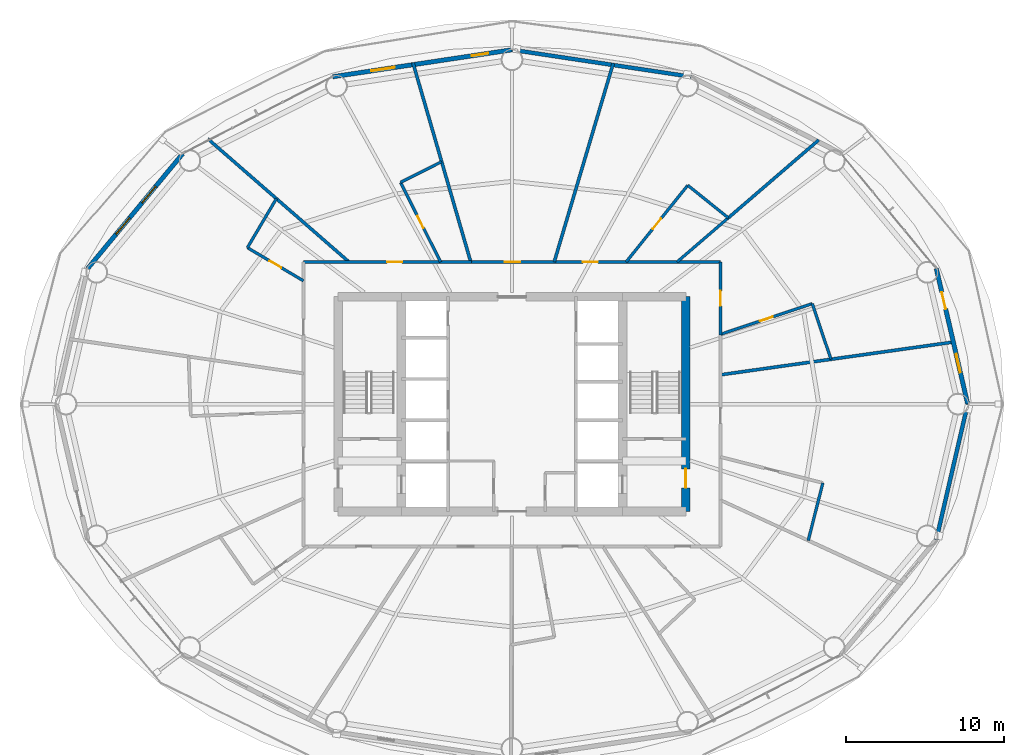
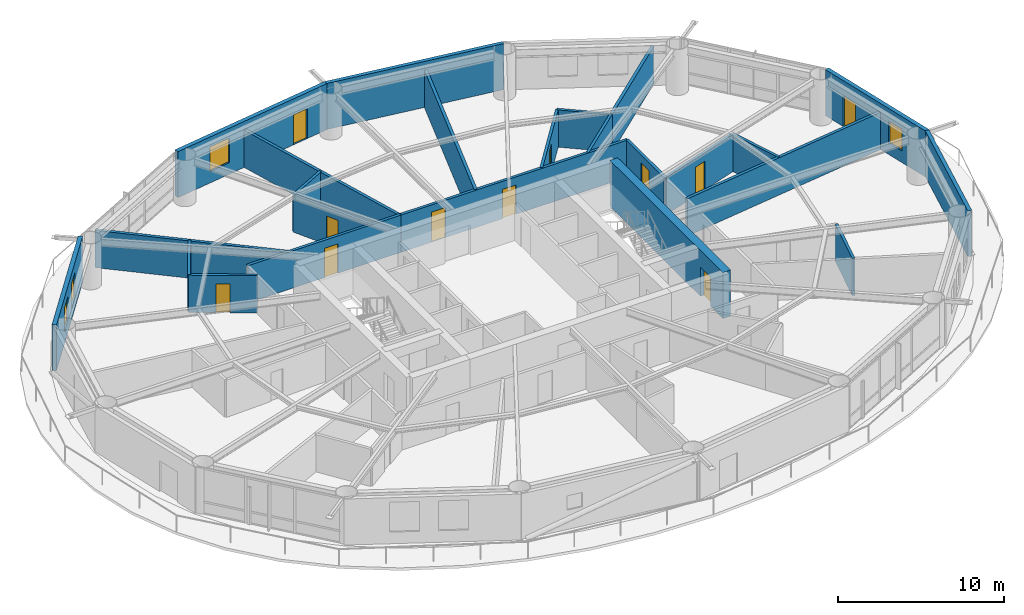
# One storey, part 20 of 24: 24 walls, 11 doors, 4 windows, 15 openings.
"""IFC4 building model written with IfcOpenShell, lengths in metres."""

from ifc_helpers import new_model, si_unit, direction, frame, frame_2d, origin, place, context, subcontext, project, spatial, rectangle, extrude, material, layer, layer_set, type_object, element, fill, save


model = new_model("IFC4")

# Units and contexts
model_context = context("Model", 3, precision=1e-05, world=origin(), true_north=direction((0.0, 1.0)))
body_context = subcontext(model_context, "Body", "Model", "MODEL_VIEW")
ifc_project = project(units=[si_unit("LENGTHUNIT", "METRE"), si_unit("AREAUNIT", "SQUARE_METRE"), si_unit("VOLUMEUNIT", "CUBIC_METRE"), si_unit("PLANEANGLEUNIT", "RADIAN"), si_unit("MASSUNIT", "GRAM", prefix="KILO")], contexts=[model_context])

# Site, building, storey
site_placement = place(None, origin())
site = spatial("IfcSite", under=ifc_project, at=site_placement, CompositionType="ELEMENT")
building_placement = place(site_placement, origin())
building = spatial("IfcBuilding", under=site, at=building_placement, Name="Sarneth Arch Tower", CompositionType="ELEMENT")
storey_placement = place(building_placement, frame((0.0, 0.0, 120.0)))
storey = spatial("IfcBuildingStorey", under=building, at=storey_placement, Name="L30", CompositionType="ELEMENT", Elevation=120.0)

# Wall, opening, door
ifc_material_1 = material(Name="Concrete C60/75", Category="concrete")
ifc_layer_1 = layer(ifc_material_1, 0.550048828125)
ifc_layer_set_1 = layer_set([ifc_layer_1], Name="Concrete C60/75")
wall_type_1 = type_object("IfcWallType", Name="WALL-CORE-550", PredefinedType="SHEAR", material=ifc_layer_set_1)
wall_1_placement = place(storey_placement, frame((59.0, 35.199951171875, 0.0), z_axis=(0.0, 0.0, 1.0), x_axis=(0.0, 1.0, 0.0)))
wall_1 = element("IfcWall", 1, at=wall_1_placement, inside=storey, type_object=wall_type_1, Name="L30 Core shear wall E", PredefinedType="SHEAR", context=body_context, shape_type="SweptSolid", body=[
    extrude(rectangle(XDim=13.60009765625, YDim=0.550048828125, at=frame_2d((6.800048828125, 0.0))), origin(), (0.0, 0.0, 1.0), 3.3798828125),
])
opening_1_placement = place(wall_1_placement, frame((1.5, 0.0, 0.0)))
opening_1 = element("IfcOpeningElement", 2, at=opening_1_placement, cuts=wall_1, Name="Opening FD-02", PredefinedType="OPENING", context=body_context, shape_type="SweptSolid", body=[
    extrude(rectangle(XDim=1.199951171875, YDim=2.14990234375, at=frame_2d((0.60009765625, 1.074951171875))), frame((0.0, 0.284912109375, 0.0), z_axis=(0.0, -1.0, 0.0), x_axis=(1.0, 0.0, 0.0)), (0.0, 0.0, 1.0), 0.570068359375),
])
ifc_material_2 = material(Name="Galvanised Steel S275 fire door set", Category="steel")
door_type_1 = type_object("IfcDoorType", Name="DR-FD90-1200", OperationType="SINGLE_SWING_LEFT", PredefinedType="DOOR", material=ifc_material_2)
door_1_placement = place(opening_1_placement, origin())
door_1 = element("IfcDoor", 3, at=door_1_placement, inside=storey, type_object=door_type_1, Name="L30 Firefighting lobby 2 exit door", OperationType="SINGLE_SWING_RIGHT", OverallHeight=2.14990234375, OverallWidth=1.199951171875, PredefinedType="DOOR", context=body_context, shape_type="SweptSolid", body=[
    extrude(rectangle(XDim=1.199951171875, YDim=2.14990234375, at=frame_2d((0.60009765625, 1.074951171875))), frame((0.0, 0.02490234375, 0.0), z_axis=(0.0, -1.0, 0.0), x_axis=(1.0, 0.0, 0.0)), (0.0, 0.0, 1.0), 0.050048828125),
])
fill(opening_1, door_1)

ifc_material_3 = material(Name="Double steel-stud corridor fire wall", Category="steel")
ifc_layer_2 = layer(ifc_material_3, 0.18994140625)
ifc_layer_set_2 = layer_set([ifc_layer_2], Name="Double steel-stud corridor fire wall")
wall_type_2 = type_object("IfcWallType", Name="WALL-CORR-190", PredefinedType="PARTITIONING", material=ifc_layer_set_2)
wall_2_placement = place(storey_placement, frame((34.800048828125, 51.0, 0.0), z_axis=(0.0, 0.0, 1.0), x_axis=(1.0, 0.0, 0.0)))
wall_2 = element("IfcWall", 4, at=wall_2_placement, inside=storey, type_object=wall_type_2, Name="L30 Interior partition W-L30-TP-007", PredefinedType="PARTITIONING", context=body_context, shape_type="SweptSolid", body=[
    extrude(rectangle(XDim=10.62158203125, YDim=0.18994140625, at=frame_2d((5.310791015625, 0.0))), origin(), (0.0, 0.0, 1.0), 2.739990234375),
])
opening_2_placement = place(wall_2_placement, frame((5.296875, 0.0, 0.0)))
opening_2 = element("IfcOpeningElement", 5, at=opening_2_placement, cuts=wall_2, Name="Opening FD-09", PredefinedType="OPENING", context=body_context, shape_type="SweptSolid", body=[
    extrude(rectangle(XDim=0.949951171875, YDim=2.14990234375, at=frame_2d((0.47509765625, 1.074951171875))), frame((0.0, 0.10498046875, 0.0), z_axis=(0.0, -1.0, 0.0), x_axis=(1.0, 0.0, 0.0)), (0.0, 0.0, 1.0), 0.2099609375),
])
ifc_material_4 = material(Name="Hardwood timber hotel entrance fire door", Category="wood")
door_type_2 = type_object("IfcDoorType", Name="DR-FD60-950", OperationType="SINGLE_SWING_RIGHT", PredefinedType="DOOR", material=ifc_material_4)
door_2_placement = place(opening_2_placement, origin())
door_2 = element("IfcDoor", 6, at=door_2_placement, inside=storey, type_object=door_type_2, Name="L30 Interior door DR-L30-KEY-04", OperationType="SINGLE_SWING_LEFT", OverallHeight=2.14990234375, OverallWidth=0.949951171875, PredefinedType="DOOR", context=body_context, shape_type="SweptSolid", body=[
    extrude(rectangle(XDim=0.949951171875, YDim=2.14990234375, at=frame_2d((0.47509765625, 1.074951171875))), frame((0.0, 0.02490234375, 0.0), z_axis=(0.0, -1.0, 0.0), x_axis=(1.0, 0.0, 0.0)), (0.0, 0.0, 1.0), 0.050048828125),
])
fill(opening_2, door_2)

# Wall, openings, doors
wall_3_placement = place(storey_placement, frame((45.35498046875, 51.0, 0.0), z_axis=(0.0, 0.0, 1.0), x_axis=(1.0, 0.0, 0.0)))
wall_3 = element("IfcWall", 7, at=wall_3_placement, inside=storey, type_object=wall_type_2, Name="L30 Interior partition W-L30-TP-006", PredefinedType="PARTITIONING", context=body_context, shape_type="SweptSolid", body=[
    extrude(rectangle(XDim=15.844970703125, YDim=0.18994140625, at=frame_2d((7.92236328125, 0.0))), origin(), (0.0, 0.0, 1.0), 2.739990234375),
])
opening_3_placement = place(wall_3_placement, frame((2.176025390625, 0.0, 0.0)))
opening_3 = element("IfcOpeningElement", 8, at=opening_3_placement, cuts=wall_3, Name="Opening FD-08", PredefinedType="OPENING", context=body_context, shape_type="SweptSolid", body=[
    extrude(rectangle(XDim=1.0, YDim=2.199951171875, at=frame_2d((0.5, 1.10009765625))), frame((0.0, 0.10498046875, 0.0), z_axis=(0.0, -1.0, 0.0), x_axis=(1.0, 0.0, 0.0)), (0.0, 0.0, 1.0), 0.2099609375),
])
opening_4_placement = place(wall_3_placement, frame((7.125, 0.0, 0.0)))
opening_4 = element("IfcOpeningElement", 9, at=opening_4_placement, cuts=wall_3, Name="Opening FD-09", PredefinedType="OPENING", context=body_context, shape_type="SweptSolid", body=[
    extrude(rectangle(XDim=0.949951171875, YDim=2.14990234375, at=frame_2d((0.47509765625, 1.074951171875))), frame((0.0, 0.10498046875, 0.0), z_axis=(0.0, -1.0, 0.0), x_axis=(1.0, 0.0, 0.0)), (0.0, 0.0, 1.0), 0.2099609375),
])
ifc_material_5 = material(Name="Hardwood timber acoustic fire door", Category="wood")
door_type_3 = type_object("IfcDoorType", Name="DR-FD60-1000", OperationType="SINGLE_SWING_LEFT", PredefinedType="DOOR", material=ifc_material_5)
door_3_placement = place(opening_3_placement, origin())
door_3 = element("IfcDoor", 10, at=door_3_placement, inside=storey, type_object=door_type_3, Name="L30 Interior door DR-L30-AMN-03", OperationType="SINGLE_SWING_RIGHT", OverallHeight=2.199951171875, OverallWidth=1.0, PredefinedType="DOOR", context=body_context, shape_type="SweptSolid", body=[
    extrude(rectangle(XDim=1.0, YDim=2.199951171875, at=frame_2d((0.5, 1.10009765625))), frame((0.0, 0.02490234375, 0.0), z_axis=(0.0, -1.0, 0.0), x_axis=(1.0, 0.0, 0.0)), (0.0, 0.0, 1.0), 0.050048828125),
])
fill(opening_3, door_3)
door_4_placement = place(opening_4_placement, origin())
door_4 = element("IfcDoor", 11, at=door_4_placement, inside=storey, type_object=door_type_2, Name="L30 Interior door DR-L30-KEY-02", OperationType="SINGLE_SWING_RIGHT", OverallHeight=2.14990234375, OverallWidth=0.949951171875, PredefinedType="DOOR", context=body_context, shape_type="SweptSolid", body=[
    extrude(rectangle(XDim=0.949951171875, YDim=2.14990234375, at=frame_2d((0.47509765625, 1.074951171875))), frame((0.0, 0.02490234375, 0.0), z_axis=(0.0, -1.0, 0.0), x_axis=(1.0, 0.0, 0.0)), (0.0, 0.0, 1.0), 0.050048828125),
])
fill(opening_4, door_4)

# Wall, opening, door
wall_4_placement = place(storey_placement, frame((61.199951171875, 51.0, 0.0), z_axis=(0.0, 0.0, 1.0), x_axis=(0.0, -1.0, 0.0)))
wall_4 = element("IfcWall", 12, at=wall_4_placement, inside=storey, type_object=wall_type_2, Name="L30 Interior partition W-L30-TP-002", PredefinedType="PARTITIONING", context=body_context, shape_type="SweptSolid", body=[
    extrude(rectangle(XDim=4.616943359375, YDim=0.18994140625, at=frame_2d((2.30859375, 0.0))), origin(), (0.0, 0.0, 1.0), 2.739990234375),
])
opening_5_placement = place(wall_4_placement, frame((1.83349609375, 0.0, 0.0)))
opening_5 = element("IfcOpeningElement", 13, at=opening_5_placement, cuts=wall_4, Name="Opening FD-09", PredefinedType="OPENING", context=body_context, shape_type="SweptSolid", body=[
    extrude(rectangle(XDim=0.949951171875, YDim=2.14990234375, at=frame_2d((0.47509765625, 1.074951171875))), frame((0.0, 0.10498046875, 0.0), z_axis=(0.0, -1.0, 0.0), x_axis=(1.0, 0.0, 0.0)), (0.0, 0.0, 1.0), 0.2099609375),
])
door_5_placement = place(opening_5_placement, origin())
door_5 = element("IfcDoor", 14, at=door_5_placement, inside=storey, type_object=door_type_2, Name="L30 Interior door DR-L30-KEY-01", OperationType="SINGLE_SWING_LEFT", OverallHeight=2.14990234375, OverallWidth=0.949951171875, PredefinedType="DOOR", context=body_context, shape_type="SweptSolid", body=[
    extrude(rectangle(XDim=0.949951171875, YDim=2.14990234375, at=frame_2d((0.47509765625, 1.074951171875))), frame((0.0, 0.02490234375, 0.0), z_axis=(0.0, -1.0, 0.0), x_axis=(1.0, 0.0, 0.0)), (0.0, 0.0, 1.0), 0.050048828125),
])
fill(opening_5, door_5)

# Walls
ifc_material_6 = material(Name="Extruded terracotta rainscreen on Concrete C40/50 backing", Category="masonry")
ifc_layer_3 = layer(ifc_material_6, 0.25)
ifc_layer_set_3 = layer_set([ifc_layer_3], Name="Extruded terracotta rainscreen on Concrete C40/50 backing")
wall_type_3 = type_object("IfcWallType", Name="WALL-EXT-SPAND-250", PredefinedType="SOLIDWALL", material=ifc_layer_set_3)
wall_5_placement = place(storey_placement, frame((59.351318359375, 62.72265625, 0.0), z_axis=(0.0, 0.0, 1.0), x_axis=(-0.988877774656, 0.148730450117, 0.0)))
element("IfcWall", 15, at=wall_5_placement, inside=storey, type_object=wall_type_3, Name="L30 Terracotta perimeter wall 04", PredefinedType="SOLIDWALL", context=body_context, shape_type="SweptSolid", body=[
    extrude(rectangle(XDim=11.47900390625, YDim=0.25, at=frame_2d((5.739501953125, 0.0))), origin(), (0.0, 0.0, 1.0), 3.3798828125),
])
wall_6_placement = place(storey_placement, frame((74.861328125, 33.41650390625, 0.0), z_axis=(0.0, 0.0, 1.0), x_axis=(0.22558597182, 0.974223264616, 0.0)))
element("IfcWall", 16, at=wall_6_placement, inside=storey, type_object=wall_type_3, Name="L30 Terracotta perimeter wall 16", PredefinedType="SOLIDWALL", context=body_context, shape_type="SweptSolid", body=[
    extrude(rectangle(XDim=8.810546875, YDim=0.25, at=frame_2d((4.4052734375, 0.0))), origin(), (0.0, 0.0, 1.0), 3.3798828125),
])

# Wall, openings, door, window
ifc_material_7 = material(Name="Extruded terracotta rainscreen on Concrete C40/50 backing", Category="masonry")
ifc_layer_4 = layer(ifc_material_7, 0.280029296875)
ifc_layer_set_4 = layer_set([ifc_layer_4], Name="Extruded terracotta rainscreen on Concrete C40/50 backing")
wall_type_4 = type_object("IfcWallType", Name="WALL-EXT-TERRA-280", PredefinedType="SOLIDWALL", material=ifc_layer_set_4)
wall_7_placement = place(storey_placement, frame((76.848876953125, 42.0, 0.0), z_axis=(0.0, 0.0, 1.0), x_axis=(-0.22558597182, 0.974223264616, 0.0)))
wall_7 = element("IfcWall", 17, at=wall_7_placement, inside=storey, type_object=wall_type_4, Name="L30 Terracotta perimeter wall 01", PredefinedType="SOLIDWALL", context=body_context, shape_type="SweptSolid", body=[
    extrude(rectangle(XDim=8.810546875, YDim=0.280029296875, at=frame_2d((4.4052734375, 0.0))), origin(), (0.0, 0.0, 1.0), 3.3798828125),
])
opening_6_placement = place(wall_7_placement, frame((2.05419921875, 0.0, 0.85009765625)))
opening_6 = element("IfcOpeningElement", 18, at=opening_6_placement, cuts=wall_7, Name="Opening W-10", PredefinedType="OPENING", context=body_context, shape_type="SweptSolid", body=[
    extrude(rectangle(XDim=1.199951171875, YDim=1.60009765625, at=frame_2d((0.60009765625, 0.800048828125))), frame((0.0, 0.14990234375, 0.0), z_axis=(0.0, -1.0, 0.0), x_axis=(1.0, 0.0, 0.0)), (0.0, 0.0, 1.0), 0.300048828125),
])
opening_7_placement = place(wall_7_placement, frame((6.174560546875, 0.0, 0.0)))
opening_7 = element("IfcOpeningElement", 19, at=opening_7_placement, cuts=wall_7, Name="Opening BD-3", PredefinedType="OPENING", context=body_context, shape_type="SweptSolid", body=[
    extrude(rectangle(XDim=1.10009765625, YDim=2.25, at=frame_2d((0.550048828125, 1.125))), frame((0.0, 0.14990234375, 0.0), z_axis=(0.0, -1.0, 0.0), x_axis=(1.0, 0.0, 0.0)), (0.0, 0.0, 1.0), 0.300048828125),
])
ifc_material_8 = material(Name="Thermally broken Aluminium 6063-T6 and laminated safety glass", Category="aluminium")
door_type_4 = type_object("IfcDoorType", Name="DR-BALC-GLZ-1100", OperationType="SINGLE_SWING_LEFT", PredefinedType="DOOR", material=ifc_material_8)
door_6_placement = place(opening_7_placement, origin())
door_6 = element("IfcDoor", 20, at=door_6_placement, inside=storey, type_object=door_type_4, Name="L30 Balcony glazed door 01", OperationType="SINGLE_SWING_LEFT", OverallHeight=2.25, OverallWidth=1.10009765625, PredefinedType="DOOR", context=body_context, shape_type="SweptSolid", body=[
    extrude(rectangle(XDim=1.10009765625, YDim=2.25, at=frame_2d((0.550048828125, 1.125))), frame((0.0, 0.02490234375, 0.0), z_axis=(0.0, -1.0, 0.0), x_axis=(1.0, 0.0, 0.0)), (0.0, 0.0, 1.0), 0.050048828125),
])
fill(opening_7, door_6)
ifc_material_9 = material(Name="Thermally broken Aluminium 6063-T6 and low-e laminated IGU", Category="aluminium")
window_type_1 = type_object("IfcWindowType", Name="WIN-TWR-1200x1600", PartitioningType="SINGLE_PANEL", PredefinedType="WINDOW", material=ifc_material_9)
window_1_placement = place(opening_6_placement, origin())
window_1 = element("IfcWindow", 21, at=window_1_placement, inside=storey, type_object=window_type_1, Name="L30 Exterior window 01A", OverallHeight=1.60009765625, OverallWidth=1.199951171875, PartitioningType="SINGLE_PANEL", PredefinedType="WINDOW", context=body_context, shape_type="SweptSolid", body=[
    extrude(rectangle(XDim=1.199951171875, YDim=1.60009765625, at=frame_2d((0.60009765625, 0.800048828125))), frame((0.0, 0.030029296875, 0.0), z_axis=(0.0, -1.0, 0.0), x_axis=(1.0, 0.0, 0.0)), (0.0, 0.0, 1.0), 0.06005859375),
])
fill(opening_6, window_1)

wall_8_placement = place(storey_placement, frame((48.0, 64.429931640625, 0.0), z_axis=(0.0, 0.0, 1.0), x_axis=(-0.988877774656, -0.148730450117, 0.0)))
wall_8 = element("IfcWall", 22, at=wall_8_placement, inside=storey, type_object=wall_type_4, Name="L30 Terracotta perimeter wall 05", PredefinedType="SOLIDWALL", context=body_context, shape_type="SweptSolid", body=[
    extrude(rectangle(XDim=11.47900390625, YDim=0.280029296875, at=frame_2d((5.739501953125, 0.0))), origin(), (0.0, 0.0, 1.0), 3.3798828125),
])
opening_8_placement = place(wall_8_placement, frame((1.523681640625, 0.0, 0.0)))
opening_8 = element("IfcOpeningElement", 23, at=opening_8_placement, cuts=wall_8, Name="Opening BD-4", PredefinedType="OPENING", context=body_context, shape_type="SweptSolid", body=[
    extrude(rectangle(XDim=1.050048828125, YDim=2.199951171875, at=frame_2d((0.52490234375, 1.10009765625))), frame((0.0, 0.14990234375, 0.0), z_axis=(0.0, -1.0, 0.0), x_axis=(1.0, 0.0, 0.0)), (0.0, 0.0, 1.0), 0.300048828125),
])
opening_9_placement = place(wall_8_placement, frame((7.5, 0.0, 0.85009765625)))
opening_9 = element("IfcOpeningElement", 24, at=opening_9_placement, cuts=wall_8, Name="Opening W-07", PredefinedType="OPENING", context=body_context, shape_type="SweptSolid", body=[
    extrude(rectangle(XDim=1.5, YDim=1.800048828125, at=frame_2d((0.75, 0.89990234375))), frame((0.0, 0.14990234375, 0.0), z_axis=(0.0, -1.0, 0.0), x_axis=(1.0, 0.0, 0.0)), (0.0, 0.0, 1.0), 0.300048828125),
])
ifc_material_10 = material(Name="Thermally broken Aluminium 6063-T6 and laminated safety glass", Category="aluminium")
door_type_5 = type_object("IfcDoorType", Name="DR-BALC-GLZ-1050", OperationType="SINGLE_SWING_RIGHT", PredefinedType="DOOR", material=ifc_material_10)
door_7_placement = place(opening_8_placement, origin())
door_7 = element("IfcDoor", 25, at=door_7_placement, inside=storey, type_object=door_type_5, Name="L30 Balcony glazed door 05", OperationType="SINGLE_SWING_RIGHT", OverallHeight=2.199951171875, OverallWidth=1.050048828125, PredefinedType="DOOR", context=body_context, shape_type="SweptSolid", body=[
    extrude(rectangle(XDim=1.050048828125, YDim=2.199951171875, at=frame_2d((0.52490234375, 1.10009765625))), frame((0.0, 0.02490234375, 0.0), z_axis=(0.0, -1.0, 0.0), x_axis=(1.0, 0.0, 0.0)), (0.0, 0.0, 1.0), 0.050048828125),
])
fill(opening_8, door_7)
ifc_material_11 = material(Name="Thermally broken Aluminium 6063-T6 and low-e laminated IGU", Category="aluminium")
window_type_2 = type_object("IfcWindowType", Name="WIN-TWR-1500x1800", PartitioningType="SINGLE_PANEL", PredefinedType="WINDOW", material=ifc_material_11)
window_2_placement = place(opening_9_placement, origin())
window_2 = element("IfcWindow", 26, at=window_2_placement, inside=storey, type_object=window_type_2, Name="L30 Exterior window 05A", OverallHeight=1.800048828125, OverallWidth=1.5, PartitioningType="SINGLE_PANEL", PredefinedType="WINDOW", context=body_context, shape_type="SweptSolid", body=[
    extrude(rectangle(XDim=1.5, YDim=1.800048828125, at=frame_2d((0.75, 0.89990234375))), frame((0.0, 0.030029296875, 0.0), z_axis=(0.0, -1.0, 0.0), x_axis=(1.0, 0.0, 0.0)), (0.0, 0.0, 1.0), 0.06005859375),
])
fill(opening_9, window_2)

# Wall, openings, windows
wall_9_placement = place(storey_placement, frame((27.159912109375, 57.8603515625, 0.0), z_axis=(0.0, 0.0, 1.0), x_axis=(-0.637505817448, -0.770445541696, 0.0)))
wall_9 = element("IfcWall", 27, at=wall_9_placement, inside=storey, type_object=wall_type_4, Name="L30 Terracotta perimeter wall 07", PredefinedType="SOLIDWALL", context=body_context, shape_type="SweptSolid", body=[
    extrude(rectangle(XDim=9.445068359375, YDim=0.280029296875, at=frame_2d((4.72265625, 0.0))), origin(), (0.0, 0.0, 1.0), 3.3798828125),
])
opening_10_placement = place(wall_9_placement, frame((2.696533203125, 0.0, 0.85009765625)))
opening_10 = element("IfcOpeningElement", 28, at=opening_10_placement, cuts=wall_9, Name="Opening W-08", PredefinedType="OPENING", context=body_context, shape_type="SweptSolid", body=[
    extrude(rectangle(XDim=1.35009765625, YDim=1.800048828125, at=frame_2d((0.675048828125, 0.89990234375))), frame((0.0, 0.14990234375, 0.0), z_axis=(0.0, -1.0, 0.0), x_axis=(1.0, 0.0, 0.0)), (0.0, 0.0, 1.0), 0.300048828125),
])
opening_11_placement = place(wall_9_placement, frame((5.281982421875, 0.0, 0.85009765625)))
opening_11 = element("IfcOpeningElement", 29, at=opening_11_placement, cuts=wall_9, Name="Opening W-08", PredefinedType="OPENING", context=body_context, shape_type="SweptSolid", body=[
    extrude(rectangle(XDim=1.35009765625, YDim=1.800048828125, at=frame_2d((0.675048828125, 0.89990234375))), frame((0.0, 0.14990234375, 0.0), z_axis=(0.0, -1.0, 0.0), x_axis=(1.0, 0.0, 0.0)), (0.0, 0.0, 1.0), 0.300048828125),
])
ifc_material_12 = material(Name="Thermally broken Aluminium 6063-T6 and low-e laminated IGU", Category="aluminium")
window_type_3 = type_object("IfcWindowType", Name="WIN-TWR-1350x1800", PartitioningType="SINGLE_PANEL", PredefinedType="WINDOW", material=ifc_material_12)
window_3_placement = place(opening_10_placement, origin())
window_3 = element("IfcWindow", 30, at=window_3_placement, inside=storey, type_object=window_type_3, Name="L30 Exterior window 07A", OverallHeight=1.800048828125, OverallWidth=1.35009765625, PartitioningType="SINGLE_PANEL", PredefinedType="WINDOW", context=body_context, shape_type="SweptSolid", body=[
    extrude(rectangle(XDim=1.35009765625, YDim=1.800048828125, at=frame_2d((0.675048828125, 0.89990234375))), frame((0.0, 0.030029296875, 0.0), z_axis=(0.0, -1.0, 0.0), x_axis=(1.0, 0.0, 0.0)), (0.0, 0.0, 1.0), 0.06005859375),
])
fill(opening_10, window_3)
window_4_placement = place(opening_11_placement, origin())
window_4 = element("IfcWindow", 31, at=window_4_placement, inside=storey, type_object=window_type_3, Name="L30 Exterior window 07B", OverallHeight=1.800048828125, OverallWidth=1.35009765625, PartitioningType="SINGLE_PANEL", PredefinedType="WINDOW", context=body_context, shape_type="SweptSolid", body=[
    extrude(rectangle(XDim=1.35009765625, YDim=1.800048828125, at=frame_2d((0.675048828125, 0.89990234375))), frame((0.0, 0.030029296875, 0.0), z_axis=(0.0, -1.0, 0.0), x_axis=(1.0, 0.0, 0.0)), (0.0, 0.0, 1.0), 0.06005859375),
])
fill(opening_11, window_4)

# Wall, opening, door
ifc_material_13 = material(Name="Moisture-resistant plumbing chase wall", Category="gypsum")
ifc_layer_5 = layer(ifc_material_13, 0.179931640625)
ifc_layer_set_5 = layer_set([ifc_layer_5], Name="Moisture-resistant plumbing chase wall")
wall_type_5 = type_object("IfcWallType", Name="WALL-PLUMB-180", PredefinedType="PLUMBINGWALL", material=ifc_layer_set_5)
wall_10_placement = place(storey_placement, frame((55.22900390625, 51.0, 0.0), z_axis=(0.0, 0.0, 1.0), x_axis=(0.626239129839, 0.779631035977, 0.0)))
wall_10 = element("IfcWall", 32, at=wall_10_placement, inside=storey, type_object=wall_type_5, Name="L30 Interior partition W-L30-TP-031", PredefinedType="PLUMBINGWALL", context=body_context, shape_type="SweptSolid", body=[
    extrude(rectangle(XDim=6.22314453125, YDim=0.179931640625, at=frame_2d((3.111572265625, 0.0))), origin(), (0.0, 0.0, 1.0), 2.739990234375),
])
opening_12_placement = place(wall_10_placement, frame((2.6865234375, 0.0, 0.0)))
opening_12 = element("IfcOpeningElement", 33, at=opening_12_placement, cuts=wall_10, Name="Opening ID-02", PredefinedType="OPENING", context=body_context, shape_type="SweptSolid", body=[
    extrude(rectangle(XDim=0.85009765625, YDim=2.10009765625, at=frame_2d((0.425048828125, 1.050048828125))), frame((0.0, 0.099853515625, 0.0), z_axis=(0.0, -1.0, 0.0), x_axis=(1.0, 0.0, 0.0)), (0.0, 0.0, 1.0), 0.199951171875),
])
ifc_material_14 = material(Name="Moisture-resistant bathroom timber door", Category="wood")
door_type_6 = type_object("IfcDoorType", Name="DR-INT-850", OperationType="SINGLE_SWING_RIGHT", PredefinedType="DOOR", material=ifc_material_14)
door_8_placement = place(opening_12_placement, origin())
door_8 = element("IfcDoor", 34, at=door_8_placement, inside=storey, type_object=door_type_6, Name="L30 Interior door DR-L30-ENS-02", OperationType="SINGLE_SWING_LEFT", OverallHeight=2.10009765625, OverallWidth=0.85009765625, PredefinedType="DOOR", context=body_context, shape_type="SweptSolid", body=[
    extrude(rectangle(XDim=0.85009765625, YDim=2.10009765625, at=frame_2d((0.425048828125, 1.050048828125))), frame((0.0, 0.02490234375, 0.0), z_axis=(0.0, -1.0, 0.0), x_axis=(1.0, 0.0, 0.0)), (0.0, 0.0, 1.0), 0.050048828125),
])
fill(opening_12, door_8)

wall_11_placement = place(storey_placement, frame((67.01220703125, 48.361328125, 0.0), z_axis=(0.0, 0.0, 1.0), x_axis=(-0.948332174456, -0.317279193915, 0.0)))
wall_11 = element("IfcWall", 35, at=wall_11_placement, inside=storey, type_object=wall_type_5, Name="L30 Interior partition W-L30-TP-026", PredefinedType="PLUMBINGWALL", context=body_context, shape_type="SweptSolid", body=[
    extrude(rectangle(XDim=6.12890625, YDim=0.179931640625, at=frame_2d((3.064453125, 0.0))), origin(), (0.0, 0.0, 1.0), 2.739990234375),
])
opening_13_placement = place(wall_11_placement, frame((2.639404296875, 0.0, 0.0)))
opening_13 = element("IfcOpeningElement", 36, at=opening_13_placement, cuts=wall_11, Name="Opening ID-02", PredefinedType="OPENING", context=body_context, shape_type="SweptSolid", body=[
    extrude(rectangle(XDim=0.85009765625, YDim=2.10009765625, at=frame_2d((0.425048828125, 1.050048828125))), frame((0.0, 0.099853515625, 0.0), z_axis=(0.0, -1.0, 0.0), x_axis=(1.0, 0.0, 0.0)), (0.0, 0.0, 1.0), 0.199951171875),
])
door_9_placement = place(opening_13_placement, origin())
door_9 = element("IfcDoor", 37, at=door_9_placement, inside=storey, type_object=door_type_6, Name="L30 Interior door DR-L30-ENS-01", OperationType="SINGLE_SWING_LEFT", OverallHeight=2.10009765625, OverallWidth=0.85009765625, PredefinedType="DOOR", context=body_context, shape_type="SweptSolid", body=[
    extrude(rectangle(XDim=0.85009765625, YDim=2.10009765625, at=frame_2d((0.425048828125, 1.050048828125))), frame((0.0, 0.02490234375, 0.0), z_axis=(0.0, -1.0, 0.0), x_axis=(1.0, 0.0, 0.0)), (0.0, 0.0, 1.0), 0.050048828125),
])
fill(opening_13, door_9)

wall_12_placement = place(storey_placement, frame((40.94482421875, 56.03857421875, 0.0), z_axis=(0.0, 0.0, 1.0), x_axis=(0.44904833135, -0.893507468414, 0.0)))
wall_12 = element("IfcWall", 38, at=wall_12_placement, inside=storey, type_object=wall_type_5, Name="L30 Interior partition W-L30-TP-037", PredefinedType="PLUMBINGWALL", context=body_context, shape_type="SweptSolid", body=[
    extrude(rectangle(XDim=5.63916015625, YDim=0.179931640625, at=frame_2d((2.819580078125, 0.0))), origin(), (0.0, 0.0, 1.0), 2.739990234375),
])
opening_14_placement = place(wall_12_placement, frame((2.39453125, 0.0, 0.0)))
opening_14 = element("IfcOpeningElement", 39, at=opening_14_placement, cuts=wall_12, Name="Opening ID-02", PredefinedType="OPENING", context=body_context, shape_type="SweptSolid", body=[
    extrude(rectangle(XDim=0.85009765625, YDim=2.10009765625, at=frame_2d((0.425048828125, 1.050048828125))), frame((0.0, 0.099853515625, 0.0), z_axis=(0.0, -1.0, 0.0), x_axis=(1.0, 0.0, 0.0)), (0.0, 0.0, 1.0), 0.199951171875),
])
door_10_placement = place(opening_14_placement, origin())
door_10 = element("IfcDoor", 40, at=door_10_placement, inside=storey, type_object=door_type_6, Name="L30 Interior door DR-L30-ENS-04", OperationType="SINGLE_SWING_RIGHT", OverallHeight=2.10009765625, OverallWidth=0.85009765625, PredefinedType="DOOR", context=body_context, shape_type="SweptSolid", body=[
    extrude(rectangle(XDim=0.85009765625, YDim=2.10009765625, at=frame_2d((0.425048828125, 1.050048828125))), frame((0.0, 0.02490234375, 0.0), z_axis=(0.0, -1.0, 0.0), x_axis=(1.0, 0.0, 0.0)), (0.0, 0.0, 1.0), 0.050048828125),
])
fill(opening_14, door_10)

# Wall
wall_13_placement = place(storey_placement, frame((61.693603515625, 53.78955078125, 0.0), z_axis=(0.0, 0.0, 1.0), x_axis=(-0.757844088621, -0.652435695945, 0.0)))
element("IfcWall", 41, at=wall_13_placement, inside=storey, type_object=wall_type_5, Name="L30 Interior partition W-L30-TP-028", PredefinedType="PLUMBINGWALL", context=body_context, shape_type="SweptSolid", body=[
    extrude(rectangle(XDim=4.275634765625, YDim=0.179931640625, at=frame_2d((2.1376953125, 0.0))), origin(), (0.0, 0.0, 1.0), 2.739990234375),
])

# Wall, opening, door
wall_14_placement = place(storey_placement, frame((31.25, 51.90234375, 0.0), z_axis=(0.0, 0.0, 1.0), x_axis=(0.860833406846, -0.508886869214, 0.0)))
wall_14 = element("IfcWall", 42, at=wall_14_placement, inside=storey, type_object=wall_type_5, Name="L30 Interior partition W-L30-TP-041", PredefinedType="PLUMBINGWALL", context=body_context, shape_type="SweptSolid", body=[
    extrude(rectangle(XDim=4.1240234375, YDim=0.179931640625, at=frame_2d((2.06201171875, 0.0))), origin(), (0.0, 0.0, 1.0), 2.739990234375),
])
opening_15_placement = place(wall_14_placement, frame((1.636962890625, 0.0, 0.0)))
opening_15 = element("IfcOpeningElement", 43, at=opening_15_placement, cuts=wall_14, Name="Opening ID-02", PredefinedType="OPENING", context=body_context, shape_type="SweptSolid", body=[
    extrude(rectangle(XDim=0.85009765625, YDim=2.10009765625, at=frame_2d((0.425048828125, 1.050048828125))), frame((0.0, 0.099853515625, 0.0), z_axis=(0.0, -1.0, 0.0), x_axis=(1.0, 0.0, 0.0)), (0.0, 0.0, 1.0), 0.199951171875),
])
door_11_placement = place(opening_15_placement, origin())
door_11 = element("IfcDoor", 44, at=door_11_placement, inside=storey, type_object=door_type_6, Name="L30 Interior door DR-L30-ENS-05", OperationType="SINGLE_SWING_RIGHT", OverallHeight=2.10009765625, OverallWidth=0.85009765625, PredefinedType="DOOR", context=body_context, shape_type="SweptSolid", body=[
    extrude(rectangle(XDim=0.85009765625, YDim=2.10009765625, at=frame_2d((0.425048828125, 1.050048828125))), frame((0.0, 0.02490234375, 0.0), z_axis=(0.0, -1.0, 0.0), x_axis=(1.0, 0.0, 0.0)), (0.0, 0.0, 1.0), 0.050048828125),
])
fill(opening_15, door_11)

# Walls
wall_15_placement = place(storey_placement, frame((67.678466796875, 37.010498046875, 0.0), z_axis=(0.0, 0.0, 1.0), x_axis=(-0.245725202551, -0.969339530212, 0.0)))
element("IfcWall", 45, at=wall_15_placement, inside=storey, type_object=wall_type_5, Name="L30 Interior partition W-L30-TP-062", PredefinedType="PLUMBINGWALL", context=body_context, shape_type="SweptSolid", body=[
    extrude(rectangle(XDim=3.7626953125, YDim=0.179931640625, at=frame_2d((1.88134765625, 0.0))), origin(), (0.0, 0.0, 1.0), 2.739990234375),
])
wall_16_placement = place(storey_placement, frame((68.191162109375, 44.837646484375, 0.0), z_axis=(0.0, 0.0, 1.0), x_axis=(-0.317291996527, 0.948327891048, 0.0)))
element("IfcWall", 46, at=wall_16_placement, inside=storey, type_object=wall_type_5, Name="L30 Interior partition W-L30-TP-025", PredefinedType="PLUMBINGWALL", context=body_context, shape_type="SweptSolid", body=[
    extrude(rectangle(XDim=3.715576171875, YDim=0.179931640625, at=frame_2d((1.85791015625, 0.0))), origin(), (0.0, 0.0, 1.0), 2.739990234375),
])
wall_17_placement = place(storey_placement, frame((33.085205078125, 55.006591796875, 0.0), z_axis=(0.0, 0.0, 1.0), x_axis=(-0.508909491775, -0.860820032981, 0.0)))
element("IfcWall", 47, at=wall_17_placement, inside=storey, type_object=wall_type_5, Name="L30 Interior partition W-L30-TP-040", PredefinedType="PLUMBINGWALL", context=body_context, shape_type="SweptSolid", body=[
    extrude(rectangle(XDim=3.606201171875, YDim=0.179931640625, at=frame_2d((1.80322265625, 0.0))), origin(), (0.0, 0.0, 1.0), 2.739990234375),
])
wall_18_placement = place(storey_placement, frame((59.126220703125, 55.851806640625, 0.0), z_axis=(0.0, 0.0, 1.0), x_axis=(0.779630447666, -0.626239862251, 0.0)))
element("IfcWall", 48, at=wall_18_placement, inside=storey, type_object=wall_type_5, Name="L30 Interior partition W-L30-TP-032", PredefinedType="PLUMBINGWALL", context=body_context, shape_type="SweptSolid", body=[
    extrude(rectangle(XDim=3.29296875, YDim=0.179931640625, at=frame_2d((1.646484375, 0.0))), origin(), (0.0, 0.0, 1.0), 2.739990234375),
])
wall_19_placement = place(storey_placement, frame((43.546875, 57.34619140625, 0.0), z_axis=(0.0, 0.0, 1.0), x_axis=(-0.893519933294, -0.449023528122, 0.0)))
element("IfcWall", 49, at=wall_19_placement, inside=storey, type_object=wall_type_5, Name="L30 Interior partition W-L30-TP-036", PredefinedType="PLUMBINGWALL", context=body_context, shape_type="SweptSolid", body=[
    extrude(rectangle(XDim=2.912109375, YDim=0.179931640625, at=frame_2d((1.4560546875, 0.0))), origin(), (0.0, 0.0, 1.0), 2.739990234375),
])
ifc_material_15 = material(Name="Double steel-stud acoustic drywall", Category="steel")
ifc_layer_6 = layer(ifc_material_15, 0.199951171875)
ifc_layer_set_6 = layer_set([ifc_layer_6], Name="Double steel-stud acoustic drywall")
wall_type_6 = type_object("IfcWallType", Name="WALL-UNIT-200", PredefinedType="PARTITIONING", material=ifc_layer_set_6)
wall_20_placement = place(storey_placement, frame((54.41259765625, 63.585693359375, 0.0), z_axis=(0.0, 0.0, 1.0), x_axis=(-0.284782789849, -0.958592073098, 0.0)))
element("IfcWall", 50, at=wall_20_placement, inside=storey, type_object=wall_type_6, Name="L30 Interior partition W-L30-TP-033", PredefinedType="PARTITIONING", context=body_context, shape_type="SweptSolid", body=[
    extrude(rectangle(XDim=13.12939453125, YDim=0.199951171875, at=frame_2d((6.564697265625, 0.0))), origin(), (0.0, 0.0, 1.0), 2.739990234375),
])
wall_21_placement = place(storey_placement, frame((61.199951171875, 43.85498046875, 0.0), z_axis=(0.0, 0.0, 1.0), x_axis=(0.990266848234, 0.139181785048, 0.0)))
element("IfcWall", 51, at=wall_21_placement, inside=storey, type_object=wall_type_6, Name="L30 Interior partition W-L30-TP-029", PredefinedType="PARTITIONING", context=body_context, shape_type="SweptSolid", body=[
    extrude(rectangle(XDim=15.004638671875, YDim=0.199951171875, at=frame_2d((7.50244140625, 0.0))), origin(), (0.0, 0.0, 1.0), 2.739990234375),
])
wall_22_placement = place(storey_placement, frame((67.414794921875, 58.715576171875, 0.0), z_axis=(0.0, 0.0, 1.0), x_axis=(-0.757805222449, -0.652480838668, 0.0)))
element("IfcWall", 52, at=wall_22_placement, inside=storey, type_object=wall_type_6, Name="L30 Interior partition W-L30-TP-027", PredefinedType="PARTITIONING", context=body_context, shape_type="SweptSolid", body=[
    extrude(rectangle(XDim=7.5498046875, YDim=0.199951171875, at=frame_2d((3.77490234375, 0.0))), origin(), (0.0, 0.0, 1.0), 2.739990234375),
])
wall_23_placement = place(storey_placement, frame((45.388427734375, 51.0, 0.0), z_axis=(0.0, 0.0, 1.0), x_axis=(-0.278690680179, 0.960380916502, 0.0)))
element("IfcWall", 53, at=wall_23_placement, inside=storey, type_object=wall_type_6, Name="L30 Interior partition W-L30-TP-035", PredefinedType="PARTITIONING", context=body_context, shape_type="SweptSolid", body=[
    extrude(rectangle(XDim=13.127197265625, YDim=0.199951171875, at=frame_2d((6.5634765625, 0.0))), origin(), (0.0, 0.0, 1.0), 2.739990234375),
])
wall_24_placement = place(storey_placement, frame((37.6796875, 51.0, 0.0), z_axis=(0.0, 0.0, 1.0), x_axis=(-0.753659518717, 0.657265037749, 0.0)))
element("IfcWall", 54, at=wall_24_placement, inside=storey, type_object=wall_type_6, Name="L30 Interior partition W-L30-TP-039", PredefinedType="PARTITIONING", context=body_context, shape_type="SweptSolid", body=[
    extrude(rectangle(XDim=11.86083984375, YDim=0.199951171875, at=frame_2d((5.930419921875, 0.0))), origin(), (0.0, 0.0, 1.0), 2.739990234375),
])

save(model, "model.ifc")
